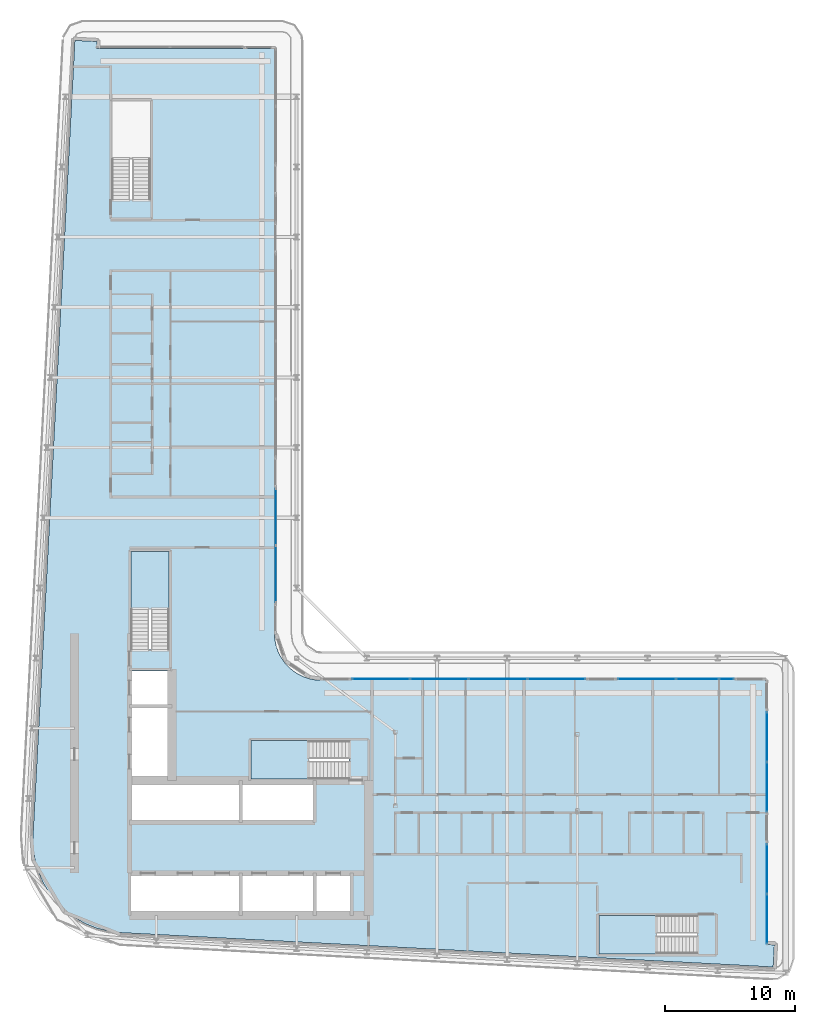
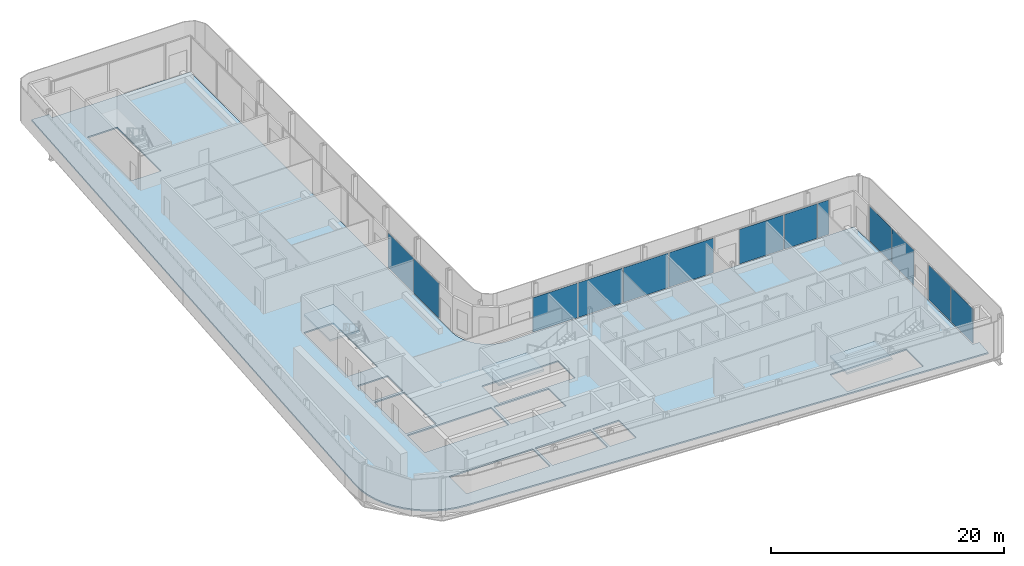
# One storey, part 8 of 21: 13 plates, 4 slabs, 9 elements without a shape of their own.
"""IFC4 building model written with IfcOpenShell, lengths in metres."""

from ifc_helpers import new_model, si_unit, direction, frame, origin, origin_2d, place, context, subcontext, project, spatial, polyline, rectangle, outline, extrude, material, layer, layer_set, type_object, element, aggregate, save


model = new_model("IFC4")

# Units and contexts
model_context = context("Model", 3, precision=1e-05, world=origin(), true_north=direction((0.0, 1.0)))
body_context = subcontext(model_context, "Body", "Model", "MODEL_VIEW")
ifc_project = project(units=[si_unit("LENGTHUNIT", "METRE"), si_unit("AREAUNIT", "SQUARE_METRE"), si_unit("VOLUMEUNIT", "CUBIC_METRE"), si_unit("PLANEANGLEUNIT", "RADIAN"), si_unit("MASSUNIT", "GRAM", prefix="KILO")], contexts=[model_context])

# Site, building, storey
site_placement = place(None, origin())
site = spatial("IfcSite", under=ifc_project, at=site_placement, CompositionType="ELEMENT")
building_placement = place(site_placement, origin())
building = spatial("IfcBuilding", under=site, at=building_placement, Name="Kheshtan School and Residences Tower", CompositionType="ELEMENT")
storey_placement = place(building_placement, frame((0.0, 0.0, 231.800048828125)))
storey = spatial("IfcBuildingStorey", under=building, at=storey_placement, Name="L54", CompositionType="ELEMENT", Elevation=231.800048828125)

# Curtain wall, plates
ifc_material_1 = material(Name="Clear low-e glass in thermally broken aluminium frame", Category="aluminium")
ifc_layer_1 = layer(ifc_material_1, 0.199951171875)
ifc_layer_set_1 = layer_set([ifc_layer_1], Name="Curtain wall CW-L")
curtain_wall_type = type_object("IfcCurtainWallType", Name="Curtain wall CW-L", PredefinedType="NOTDEFINED", material=ifc_layer_set_1)
curtain_wall_1_placement = place(storey_placement, origin())
curtain_wall_1 = element("IfcCurtainWall", 1, at=curtain_wall_1_placement, inside=storey, type_object=curtain_wall_type, Name="Curtain wall CWL4b", PredefinedType="NOTDEFINED")
ifc_layer_2 = layer(ifc_material_1, 0.031982421875)
ifc_layer_set_2 = layer_set([ifc_layer_2], Name="CW-L glass panel")
plate_type = type_object("IfcPlateType", Name="CW-L glass panel", PredefinedType="CURTAIN_PANEL", material=ifc_layer_set_2)
plate_1_placement = place(storey_placement, frame((46.0, 56.465576171875, 0.0), z_axis=(0.0, 0.0, 1.0), x_axis=(0.0, -1.0, 0.0)))
plate_1 = element("IfcPlate", 2, at=plate_1_placement, type_object=plate_type, Name="CWL4b panel 1.1", PredefinedType="CURTAIN_PANEL", context=body_context, shape_type="SweptSolid", body=[
    extrude(rectangle(XDim=4.34375, YDim=0.031982421875, at=origin_2d()), origin(), (0.0, 0.0, 1.0), 3.6298828125),
])
plate_2_placement = place(storey_placement, frame((46.0, 52.061767578125, 0.0), z_axis=(0.0, 0.0, 1.0), x_axis=(0.0, -1.0, 0.0)))
plate_2 = element("IfcPlate", 3, at=plate_2_placement, type_object=plate_type, Name="CWL4b panel 2.1", PredefinedType="CURTAIN_PANEL", context=body_context, shape_type="SweptSolid", body=[
    extrude(rectangle(XDim=4.34375, YDim=0.031982421875, at=origin_2d()), origin(), (0.0, 0.0, 1.0), 3.6298828125),
])
aggregate(curtain_wall_1, [plate_1, plate_2])

curtain_wall_2_placement = place(storey_placement, origin())
curtain_wall_2 = element("IfcCurtainWall", 4, at=curtain_wall_2_placement, inside=storey, type_object=curtain_wall_type, Name="Curtain wall CWL8n", PredefinedType="NOTDEFINED")
plate_3_placement = place(storey_placement, frame((54.100830078125, 44.0, 0.0), z_axis=(0.0, 0.0, 1.0), x_axis=(1.0, 0.0, 0.0)))
plate_3 = element("IfcPlate", 5, at=plate_3_placement, type_object=plate_type, Name="CWL8n panel 1.1", PredefinedType="CURTAIN_PANEL", context=body_context, shape_type="SweptSolid", body=[
    extrude(rectangle(XDim=4.421630859375, YDim=0.031982421875, at=origin_2d()), origin(), (0.0, 0.0, 1.0), 3.6298828125),
])
plate_4_placement = place(storey_placement, frame((58.58251953125, 44.0, 0.0), z_axis=(0.0, 0.0, 1.0), x_axis=(1.0, 0.0, 0.0)))
plate_4 = element("IfcPlate", 6, at=plate_4_placement, type_object=plate_type, Name="CWL8n panel 2.1", PredefinedType="CURTAIN_PANEL", context=body_context, shape_type="SweptSolid", body=[
    extrude(rectangle(XDim=4.421630859375, YDim=0.031982421875, at=origin_2d()), origin(), (0.0, 0.0, 1.0), 3.6298828125),
])
aggregate(curtain_wall_2, [plate_3, plate_4])

curtain_wall_3_placement = place(storey_placement, origin())
curtain_wall_3 = element("IfcCurtainWall", 7, at=curtain_wall_3_placement, inside=storey, type_object=curtain_wall_type, Name="Curtain wall CWL8n", PredefinedType="NOTDEFINED")
plate_5_placement = place(storey_placement, frame((63.09423828125, 44.0, 0.0), z_axis=(0.0, 0.0, 1.0), x_axis=(1.0, 0.0, 0.0)))
plate_5 = element("IfcPlate", 8, at=plate_5_placement, type_object=plate_type, Name="CWL8n panel 1.1", PredefinedType="CURTAIN_PANEL", context=body_context, shape_type="SweptSolid", body=[
    extrude(rectangle(XDim=4.481689453125, YDim=0.031982421875, at=origin_2d()), origin(), (0.0, 0.0, 1.0), 3.6298828125),
])
plate_6_placement = place(storey_placement, frame((67.605712890625, 44.0, 0.0), z_axis=(0.0, 0.0, 1.0), x_axis=(1.0, 0.0, 0.0)))
plate_6 = element("IfcPlate", 9, at=plate_6_placement, type_object=plate_type, Name="CWL8n panel 2.1", PredefinedType="CURTAIN_PANEL", context=body_context, shape_type="SweptSolid", body=[
    extrude(rectangle(XDim=4.421630859375, YDim=0.031982421875, at=origin_2d()), origin(), (0.0, 0.0, 1.0), 3.6298828125),
])
aggregate(curtain_wall_3, [plate_5, plate_6])

curtain_wall_4_placement = place(storey_placement, origin())
curtain_wall_4 = element("IfcCurtainWall", 10, at=curtain_wall_4_placement, inside=storey, type_object=curtain_wall_type, Name="Curtain wall CWL8o", PredefinedType="NOTDEFINED")
plate_7_placement = place(storey_placement, frame((74.547607421875, 44.0, 0.0), z_axis=(0.0, 0.0, 1.0), x_axis=(1.0, 0.0, 0.0)))
plate_7 = element("IfcPlate", 11, at=plate_7_placement, type_object=plate_type, Name="CWL8o panel 1.1", PredefinedType="CURTAIN_PANEL", context=body_context, shape_type="SweptSolid", body=[
    extrude(rectangle(XDim=4.421630859375, YDim=0.031982421875, at=origin_2d()), origin(), (0.0, 0.0, 1.0), 3.6298828125),
])
plate_8_placement = place(storey_placement, frame((78.444091796875, 44.0, 0.0), z_axis=(0.0, 0.0, 1.0), x_axis=(1.0, 0.0, 0.0)))
plate_8 = element("IfcPlate", 12, at=plate_8_placement, type_object=plate_type, Name="CWL8o panel 2.1", PredefinedType="CURTAIN_PANEL", context=body_context, shape_type="SweptSolid", body=[
    extrude(rectangle(XDim=3.251708984375, YDim=0.031982421875, at=origin_2d()), origin(), (0.0, 0.0, 1.0), 3.6298828125),
])
plate_9_placement = place(storey_placement, frame((80.68505859375, 44.0, 0.0), z_axis=(0.0, 0.0, 1.0), x_axis=(1.0, 0.0, 0.0)))
plate_9 = element("IfcPlate", 13, at=plate_9_placement, type_object=plate_type, Name="CWL8o panel 3.1", PredefinedType="CURTAIN_PANEL", context=body_context, shape_type="SweptSolid", body=[
    extrude(rectangle(XDim=1.110107421875, YDim=0.031982421875, at=origin_2d()), origin(), (0.0, 0.0, 1.0), 3.6298828125),
])
aggregate(curtain_wall_4, [plate_7, plate_8, plate_9])

curtain_wall_5_placement = place(storey_placement, origin())
curtain_wall_5 = element("IfcCurtainWall", 14, at=curtain_wall_5_placement, inside=storey, type_object=curtain_wall_type, Name="Curtain wall CWL9a", PredefinedType="NOTDEFINED")
plate_10_placement = place(storey_placement, frame((83.800048828125, 39.54345703125, 0.0), z_axis=(0.0, 0.0, 1.0), x_axis=(0.0, -1.0, 0.0)))
plate_10 = element("IfcPlate", 15, at=plate_10_placement, type_object=plate_type, Name="CWL9a panel 1.1", PredefinedType="CURTAIN_PANEL", context=body_context, shape_type="SweptSolid", body=[
    extrude(rectangle(XDim=3.793212890625, YDim=0.031982421875, at=origin_2d()), origin(), (0.0, 0.0, 1.0), 3.6298828125),
])
plate_11_placement = place(storey_placement, frame((83.800048828125, 35.690185546875, 0.0), z_axis=(0.0, 0.0, 1.0), x_axis=(0.0, -1.0, 0.0)))
plate_11 = element("IfcPlate", 16, at=plate_11_placement, type_object=plate_type, Name="CWL9a panel 2.1", PredefinedType="CURTAIN_PANEL", context=body_context, shape_type="SweptSolid", body=[
    extrude(rectangle(XDim=3.793212890625, YDim=0.031982421875, at=origin_2d()), origin(), (0.0, 0.0, 1.0), 3.6298828125),
])
aggregate(curtain_wall_5, [plate_10, plate_11])

curtain_wall_6_placement = place(storey_placement, origin())
curtain_wall_6 = element("IfcCurtainWall", 17, at=curtain_wall_6_placement, inside=storey, type_object=curtain_wall_type, Name="Curtain wall CWL9a", PredefinedType="NOTDEFINED")
plate_12_placement = place(storey_placement, frame((83.800048828125, 29.376953125, 0.0), z_axis=(0.0, 0.0, 1.0), x_axis=(0.0, -1.0, 0.0)))
plate_12 = element("IfcPlate", 18, at=plate_12_placement, type_object=plate_type, Name="CWL9a panel 1.1", PredefinedType="CURTAIN_PANEL", context=body_context, shape_type="SweptSolid", body=[
    extrude(rectangle(XDim=3.793212890625, YDim=0.031982421875, at=origin_2d()), origin(), (0.0, 0.0, 1.0), 3.6298828125),
])
plate_13_placement = place(storey_placement, frame((83.800048828125, 25.523681640625, 0.0), z_axis=(0.0, 0.0, 1.0), x_axis=(0.0, -1.0, 0.0)))
plate_13 = element("IfcPlate", 19, at=plate_13_placement, type_object=plate_type, Name="CWL9a panel 2.1", PredefinedType="CURTAIN_PANEL", context=body_context, shape_type="SweptSolid", body=[
    extrude(rectangle(XDim=3.793212890625, YDim=0.031982421875, at=origin_2d()), origin(), (0.0, 0.0, 1.0), 3.6298828125),
])
aggregate(curtain_wall_6, [plate_12, plate_13])

# Slab
ifc_material_2 = material(Name="Concrete C40/50", Category="concrete")
ifc_layer_3 = layer(ifc_material_2, 0.14990234375)
ifc_layer_set_3 = layer_set([ifc_layer_3], Name="Floor slab 150 Concrete C40/50")
slab_type_1 = type_object("IfcSlabType", Name="Floor slab 150 Concrete C40/50", PredefinedType="FLOOR", material=ifc_layer_set_3)
slab_1_placement = place(storey_placement, frame((0.0, 0.0, -0.150146484375)))
element("IfcSlab", 20, at=slab_1_placement, inside=storey, type_object=slab_type_1, Name="Floor slab L54", PredefinedType="FLOOR", context=body_context, shape_type="SweptSolid", body=[
    extrude(outline(polyline([(28.0849609375, 28.345947265625), (27.718017578125, 29.200927734375), (27.466064453125, 30.093017578125), (27.466064453125, 30.093994140625), (27.3330078125, 31.013916015625), (27.320068359375, 31.965087890625), (27.320068359375, 31.970947265625), (30.5380859375, 93.10107421875), (30.5390625, 93.10791015625), (30.5419921875, 93.131103515625), (30.5419921875, 93.132080078125), (30.54296875, 93.132080078125), (31.137939453125, 93.10009765625), (31.138916015625, 93.10009765625), (31.138916015625, 93.09912109375), (31.138916015625, 93.094970703125), (31.138916015625, 93.093994140625), (31.139892578125, 93.093994140625), (31.139892578125, 93.093017578125), (31.14111328125, 93.093017578125), (31.14208984375, 93.093017578125), (31.14208984375, 93.093994140625), (31.14404296875, 93.095947265625), (31.14501953125, 93.096923828125), (31.14599609375, 93.097900390625), (31.14697265625, 93.097900390625), (31.14697265625, 93.09912109375), (31.14794921875, 93.09912109375), (31.14794921875, 93.10009765625), (31.14892578125, 93.10009765625), (31.152099609375, 93.10205078125), (31.155029296875, 93.10205078125), (31.156005859375, 93.10205078125), (31.156005859375, 93.10302734375), (31.156982421875, 93.10302734375), (31.162109375, 93.10302734375), (32.217041015625, 93.047119140625), (32.219970703125, 93.047119140625), (32.220947265625, 93.047119140625), (32.220947265625, 93.0458984375), (32.221923828125, 93.0458984375), (32.22607421875, 93.0458984375), (32.22607421875, 93.044921875), (32.22705078125, 93.044921875), (32.22705078125, 93.0439453125), (32.22802734375, 93.0439453125), (32.22802734375, 93.04296875), (32.22900390625, 93.04296875), (32.22998046875, 93.04296875), (32.22998046875, 93.0419921875), (32.23095703125, 93.0419921875), (32.23193359375, 93.0419921875), (32.23193359375, 93.041015625), (32.23388671875, 93.0390625), (32.235107421875, 93.0390625), (32.235107421875, 93.0380859375), (32.235107421875, 93.037109375), (32.236083984375, 93.037109375), (32.236083984375, 93.035888671875), (32.237060546875, 93.035888671875), (32.237060546875, 93.033935546875), (32.237060546875, 93.032958984375), (32.238037109375, 93.032958984375), (32.238037109375, 93.031982421875), (32.239013671875, 93.031982421875), (32.239013671875, 93.031005859375), (32.239013671875, 93.029052734375), (32.239013671875, 93.028076171875), (32.239990234375, 93.028076171875), (32.239990234375, 93.027099609375), (32.239990234375, 93.02197265625), (32.212890625, 92.52099609375), (32.212890625, 92.51806640625), (32.212890625, 92.51708984375), (32.2119140625, 92.51708984375), (32.2119140625, 92.51611328125), (32.2119140625, 92.511962890625), (32.2109375, 92.510009765625), (32.2099609375, 92.510009765625), (32.2099609375, 92.509033203125), (32.208984375, 92.509033203125), (32.208984375, 92.508056640625), (32.2080078125, 92.507080078125), (32.2060546875, 92.5048828125), (32.205078125, 92.50390625), (32.2041015625, 92.50390625), (32.2041015625, 92.5029296875), (32.2041015625, 92.501953125), (32.2041015625, 92.5009765625), (32.205078125, 92.5009765625), (32.205078125, 92.5), (32.2060546875, 92.5), (45.85498046875, 92.5), (45.860107421875, 92.4990234375), (45.864990234375, 92.498046875), (45.865966796875, 92.498046875), (45.868896484375, 92.49609375), (45.8740234375, 92.493896484375), (45.8779296875, 92.491943359375), (45.881103515625, 92.489990234375), (45.881103515625, 92.489013671875), (45.882080078125, 92.489013671875), (45.882080078125, 92.488037109375), (45.883056640625, 92.488037109375), (45.884033203125, 92.485107421875), (45.885009765625, 92.485107421875), (45.885009765625, 92.48388671875), (45.887939453125, 92.48291015625), (45.887939453125, 92.48193359375), (45.888916015625, 92.48193359375), (45.888916015625, 92.48095703125), (45.889892578125, 92.48095703125), (45.89208984375, 92.47802734375), (45.89404296875, 92.47412109375), (45.89599609375, 92.468994140625), (45.89794921875, 92.466064453125), (45.89794921875, 92.465087890625), (45.89892578125, 92.4599609375), (45.89990234375, 92.455078125), (45.89990234375, 47.429931640625), (45.927001953125, 47.030029296875), (46.01806640625, 46.570068359375), (46.01806640625, 46.569091796875), (46.169921875, 46.1201171875), (46.37890625, 45.697021484375), (46.638916015625, 45.30810546875), (46.949951171875, 44.950927734375), (46.950927734375, 44.949951171875), (47.30810546875, 44.638916015625), (47.697021484375, 44.37890625), (48.1201171875, 44.169921875), (48.569091796875, 44.01806640625), (48.570068359375, 44.01806640625), (49.030029296875, 43.927001953125), (49.429931640625, 43.89990234375), (83.655029296875, 43.89990234375), (83.659912109375, 43.89892578125), (83.6650390625, 43.89794921875), (83.666015625, 43.89794921875), (83.6689453125, 43.89599609375), (83.674072265625, 43.89404296875), (83.677978515625, 43.89208984375), (83.680908203125, 43.889892578125), (83.680908203125, 43.888916015625), (83.681884765625, 43.888916015625), (83.681884765625, 43.887939453125), (83.68310546875, 43.887939453125), (83.68408203125, 43.885009765625), (83.68505859375, 43.885009765625), (83.68505859375, 43.884033203125), (83.68798828125, 43.883056640625), (83.68798828125, 43.882080078125), (83.68896484375, 43.882080078125), (83.68896484375, 43.881103515625), (83.68994140625, 43.881103515625), (83.69189453125, 43.8779296875), (83.694091796875, 43.8740234375), (83.696044921875, 43.868896484375), (83.697998046875, 43.865966796875), (83.697998046875, 43.864990234375), (83.699951171875, 43.85498046875), (83.699951171875, 23.56201171875), (83.699951171875, 23.56103515625), (83.700927734375, 23.56103515625), (83.700927734375, 23.56005859375), (83.701904296875, 23.56005859375), (83.702880859375, 23.56005859375), (83.702880859375, 23.56103515625), (83.705078125, 23.56298828125), (83.7060546875, 23.56396484375), (83.70703125, 23.56494140625), (83.7080078125, 23.56494140625), (83.7080078125, 23.56591796875), (83.708984375, 23.56591796875), (83.708984375, 23.56689453125), (83.7099609375, 23.56689453125), (83.712890625, 23.569091796875), (83.716064453125, 23.569091796875), (83.717041015625, 23.569091796875), (83.717041015625, 23.570068359375), (83.718017578125, 23.570068359375), (83.722900390625, 23.570068359375), (84.337890625, 23.537109375), (84.341064453125, 23.537109375), (84.342041015625, 23.537109375), (84.342041015625, 23.535888671875), (84.343017578125, 23.535888671875), (84.346923828125, 23.535888671875), (84.346923828125, 23.534912109375), (84.347900390625, 23.534912109375), (84.347900390625, 23.533935546875), (84.34912109375, 23.533935546875), (84.34912109375, 23.532958984375), (84.35009765625, 23.532958984375), (84.35107421875, 23.532958984375), (84.35107421875, 23.531982421875), (84.35205078125, 23.531982421875), (84.35302734375, 23.531982421875), (84.35302734375, 23.531005859375), (84.35498046875, 23.529052734375), (84.35595703125, 23.529052734375), (84.35595703125, 23.528076171875), (84.35595703125, 23.527099609375), (84.35693359375, 23.527099609375), (84.35693359375, 23.52587890625), (84.35791015625, 23.52587890625), (84.35791015625, 23.52490234375), (84.35791015625, 23.52392578125), (84.35791015625, 23.52294921875), (84.35888671875, 23.52294921875), (84.35888671875, 23.52197265625), (84.360107421875, 23.52197265625), (84.360107421875, 23.52099609375), (84.360107421875, 23.51904296875), (84.360107421875, 23.51806640625), (84.361083984375, 23.51806640625), (84.361083984375, 23.51708984375), (84.361083984375, 23.511962890625), (84.304931640625, 22.455078125), (84.304931640625, 22.451904296875), (84.304931640625, 22.450927734375), (84.303955078125, 22.450927734375), (84.303955078125, 22.449951171875), (84.303955078125, 22.446044921875), (84.302978515625, 22.445068359375), (84.302978515625, 22.444091796875), (84.302001953125, 22.444091796875), (84.302001953125, 22.443115234375), (84.301025390625, 22.443115234375), (84.301025390625, 22.44189453125), (84.300048828125, 22.44091796875), (84.298095703125, 22.43896484375), (84.297119140625, 22.43798828125), (84.2958984375, 22.43798828125), (84.2958984375, 22.43701171875), (84.2958984375, 22.43603515625), (84.2958984375, 22.43505859375), (84.297119140625, 22.43505859375), (84.297119140625, 22.43408203125), (84.298095703125, 22.43408203125), (84.299072265625, 22.43408203125), (84.300048828125, 22.43408203125), (84.300048828125, 22.43310546875), (84.26806640625, 21.837890625), (84.26806640625, 21.8369140625), (84.26708984375, 21.8369140625), (84.242919921875, 21.8359375), (84.238037109375, 21.8359375), (34.056884765625, 24.47802734375), (33.114990234375, 24.590087890625), (32.215087890625, 24.819091796875), (32.214111328125, 24.819091796875), (31.35205078125, 25.1630859375), (30.541015625, 25.616943359375), (29.799072265625, 26.1708984375), (29.799072265625, 26.172119140625), (29.798095703125, 26.172119140625), (29.134033203125, 26.820068359375), (29.134033203125, 26.821044921875), (29.133056640625, 26.821044921875), (28.55908203125, 27.550048828125), (28.0849609375, 28.345947265625)]), holes=[polyline([(83.699951171875, 22.44091796875), (83.699951171875, 22.43994140625), (83.699951171875, 22.43603515625), (83.699951171875, 22.43505859375), (83.700927734375, 22.43505859375), (83.700927734375, 22.43408203125), (83.701904296875, 22.43408203125), (83.7060546875, 22.43408203125), (83.70703125, 22.43408203125), (83.70703125, 22.43505859375), (83.7080078125, 22.43505859375), (83.7080078125, 22.43603515625), (83.7080078125, 22.43701171875), (83.70703125, 22.43701171875), (83.7060546875, 22.43798828125), (83.7041015625, 22.43994140625), (83.702880859375, 22.44091796875), (83.702880859375, 22.44189453125), (83.701904296875, 22.44189453125), (83.700927734375, 22.44189453125), (83.700927734375, 22.44091796875), (83.699951171875, 22.44091796875)]), polyline([(31.138916015625, 92.507080078125), (31.138916015625, 92.506103515625), (31.138916015625, 92.501953125), (31.138916015625, 92.5009765625), (31.139892578125, 92.5009765625), (31.139892578125, 92.5), (31.14111328125, 92.5), (31.14501953125, 92.5), (31.14599609375, 92.5), (31.14599609375, 92.5009765625), (31.14697265625, 92.5009765625), (31.14697265625, 92.501953125), (31.14697265625, 92.5029296875), (31.14599609375, 92.5029296875), (31.14501953125, 92.50390625), (31.14404296875, 92.5048828125), (31.14306640625, 92.506103515625), (31.14208984375, 92.507080078125), (31.14208984375, 92.508056640625), (31.14111328125, 92.508056640625), (31.139892578125, 92.508056640625), (31.139892578125, 92.507080078125), (31.138916015625, 92.507080078125)]), polyline([(43.175048828125, 28.925048828125), (34.875, 28.925048828125), (34.875, 25.925048828125), (43.175048828125, 25.925048828125), (43.175048828125, 28.925048828125)]), polyline([(43.175048828125, 36.074951171875), (34.875, 36.074951171875), (34.875, 33.074951171875), (43.175048828125, 33.074951171875), (43.175048828125, 36.074951171875)]), polyline([(34.875, 41.77490234375), (34.875, 36.324951171875), (37.875, 36.324951171875), (37.875, 41.77490234375), (34.875, 41.77490234375)]), polyline([(37.875, 44.625), (34.875, 44.625), (34.875, 42.02490234375), (37.875, 42.02490234375), (37.875, 44.625)]), polyline([(36.25, 46.25), (37.800048828125, 46.25), (37.800048828125, 53.81005859375), (34.85009765625, 53.81005859375), (34.85009765625, 46.260009765625), (36.25, 46.260009765625), (36.25, 46.25)]), polyline([(33.39990234375, 88.4599609375), (33.39990234375, 80.909912109375), (34.800048828125, 80.909912109375), (34.800048828125, 80.89990234375), (36.35009765625, 80.89990234375), (36.35009765625, 88.4599609375), (33.39990234375, 88.4599609375)]), polyline([(70.85009765625, 25.800048828125), (70.85009765625, 22.85009765625), (78.39990234375, 22.85009765625), (78.39990234375, 24.25), (78.409912109375, 24.25), (78.409912109375, 25.800048828125), (70.85009765625, 25.800048828125)]), polyline([(43.425048828125, 28.925048828125), (43.425048828125, 25.925048828125), (48.875, 25.925048828125), (48.875, 28.925048828125), (43.425048828125, 28.925048828125)]), polyline([(49.125, 28.925048828125), (49.125, 25.925048828125), (51.72509765625, 25.925048828125), (51.72509765625, 28.925048828125), (49.125, 28.925048828125)]), polyline([(43.425048828125, 36.074951171875), (43.425048828125, 33.074951171875), (48.875, 33.074951171875), (48.875, 36.074951171875), (43.425048828125, 36.074951171875)]), polyline([(51.64990234375, 37.699951171875), (51.64990234375, 39.25), (44.090087890625, 39.25), (44.090087890625, 36.300048828125), (51.639892578125, 36.300048828125), (51.639892578125, 37.699951171875), (51.64990234375, 37.699951171875)])]), origin(), (0.0, 0.0, 1.0), 0.150146484375),
])

# Stair, slab
stair_type = type_object("IfcStairType", Name="Exit stair, half-turn", PredefinedType="HALF_TURN_STAIR", material=ifc_material_2)
stair_1_placement = place(storey_placement, origin())
stair_1 = element("IfcStair", 21, at=stair_1_placement, inside=storey, type_object=stair_type, Name="L54 Protected Exit Stair ST1", PredefinedType="HALF_TURN_STAIR")
ifc_layer_4 = layer(ifc_material_2, 0.199951171875)
ifc_layer_set_4 = layer_set([ifc_layer_4], Name="Stair landing 200 Concrete C40/50")
slab_type_2 = type_object("IfcSlabType", Name="Stair landing 200 Concrete C40/50", PredefinedType="LANDING", material=ifc_layer_set_4)
slab_2_placement = place(storey_placement, frame((0.0, 0.0, 1.75)))
slab_2 = element("IfcSlab", 22, at=slab_2_placement, type_object=slab_type_2, Name="ST1 landing 1", PredefinedType="LANDING", context=body_context, shape_type="SweptSolid", body=[
    extrude(outline(polyline([(48.570068359375, 39.25), (44.090087890625, 39.25), (44.090087890625, 36.300048828125), (48.570068359375, 36.300048828125), (48.570068359375, 39.25)])), origin(), (0.0, 0.0, 1.0), 0.199951171875),
])
aggregate(stair_1, [slab_2])

stair_2_placement = place(storey_placement, origin())
stair_2 = element("IfcStair", 23, at=stair_2_placement, inside=storey, type_object=stair_type, Name="L54 Protected Exit Stair ST2", PredefinedType="HALF_TURN_STAIR")
slab_3_placement = place(storey_placement, frame((0.0, 0.0, 1.75)))
slab_3 = element("IfcSlab", 24, at=slab_3_placement, type_object=slab_type_2, Name="ST2 landing 1", PredefinedType="LANDING", context=body_context, shape_type="SweptSolid", body=[
    extrude(outline(polyline([(37.800048828125, 49.330078125), (37.800048828125, 53.81005859375), (34.85009765625, 53.81005859375), (34.85009765625, 49.330078125), (37.800048828125, 49.330078125)])), origin(), (0.0, 0.0, 1.0), 0.199951171875),
])
aggregate(stair_2, [slab_3])

stair_3_placement = place(storey_placement, origin())
stair_3 = element("IfcStair", 25, at=stair_3_placement, inside=storey, type_object=stair_type, Name="L54 Protected Exit Stair ST5", PredefinedType="HALF_TURN_STAIR")
slab_4_placement = place(storey_placement, frame((0.0, 0.0, 1.75)))
slab_4 = element("IfcSlab", 26, at=slab_4_placement, type_object=slab_type_2, Name="ST5 landing 1", PredefinedType="LANDING", context=body_context, shape_type="SweptSolid", body=[
    extrude(outline(polyline([(75.330078125, 25.800048828125), (70.85009765625, 25.800048828125), (70.85009765625, 22.85009765625), (75.330078125, 22.85009765625), (75.330078125, 25.800048828125)])), origin(), (0.0, 0.0, 1.0), 0.199951171875),
])
aggregate(stair_3, [slab_4])

save(model, "model.ifc")
